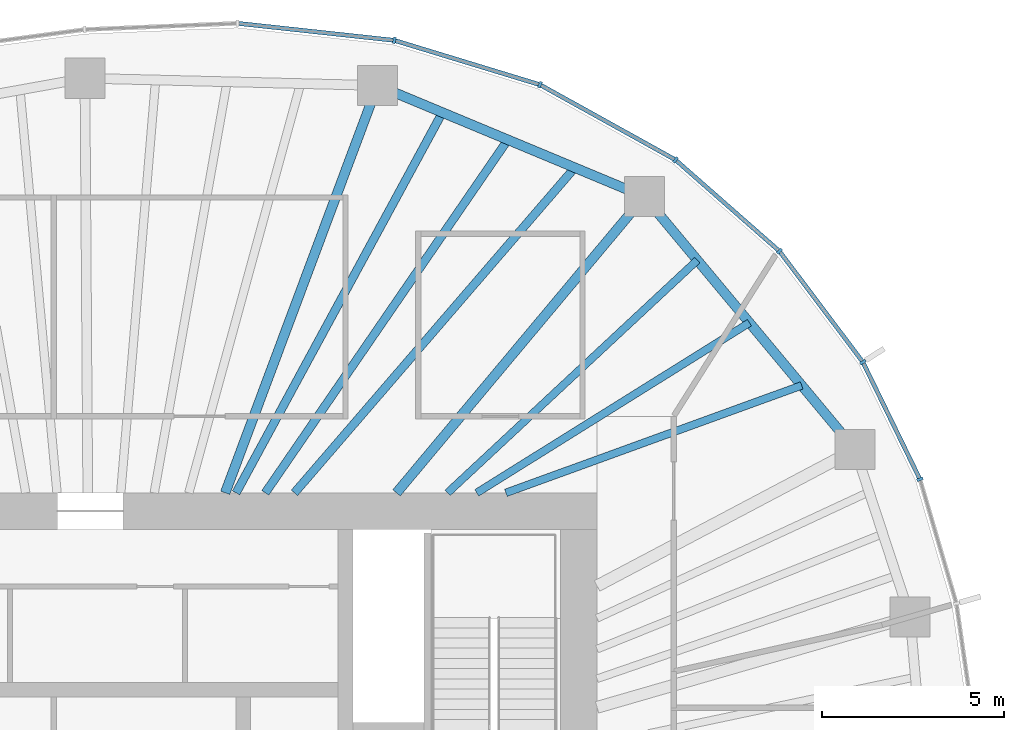
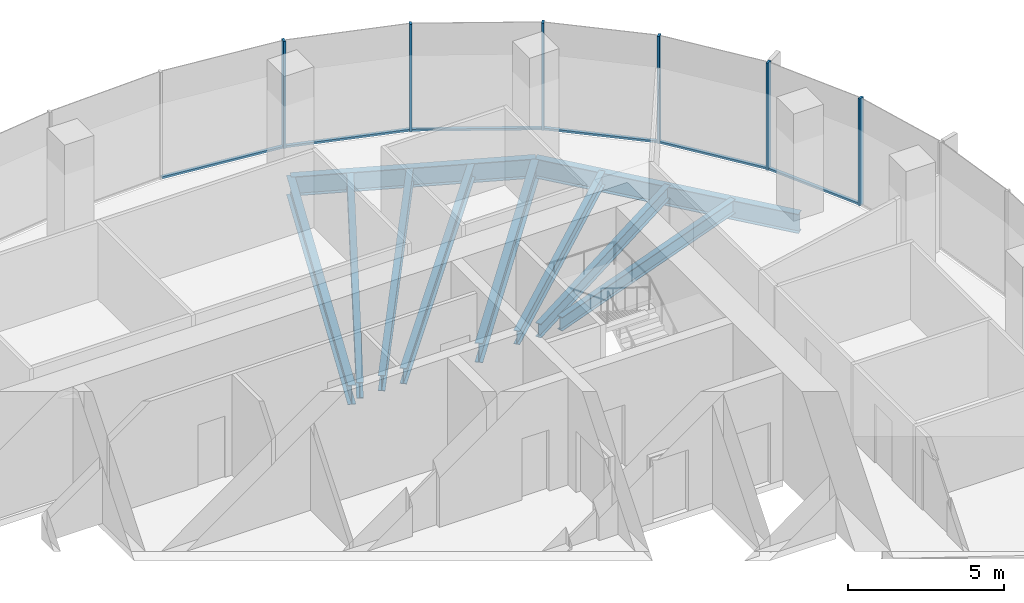
# One storey, part 6 of 11: 12 members, 10 beams, 4 elements without a shape of their own.
"""IFC4 building model written with IfcOpenShell, lengths in metres."""

import ifcopenshell
import ifcopenshell.guid

model = None  # the IFC model being written
_history = None  # IfcOwnerHistory: only IFC2X3 demands one
_inside = {}  # id of a spatial element -> (the spatial element, [elements in it])
_under = {}  # id of a project, library or spatial element -> (it, [spatial elements below it])
_declared = {}  # id of a project -> (the project, [libraries it declares])
_typed = {}  # id of a type object -> (the type object, [elements of that type])
_made_of = {}  # id of a material, layer set ... -> (it, [elements and type objects made of it])


def new_model(schema):
    """Start an empty IFC model of exactly this schema.

    Asked for "IFC4X3", IfcOpenShell would pick the latest addendum, in which some entities
    have other attributes; the version numbers below select the first issue.
    IFC2X3 requires an IfcOwnerHistory on every rooted entity: one is made here for all.
    """
    global model, _history
    if schema == "IFC4X3":
        model = ifcopenshell.file(schema_version=(4, 3, 0, 0))
    else:
        model = ifcopenshell.file(schema=schema)
    _inside.clear()
    _under.clear()
    _declared.clear()
    _typed.clear()
    _made_of.clear()
    _history = None
    if model.schema == "IFC2X3":
        org = make("IfcOrganization", Name="unknown")
        user = make(
            "IfcPersonAndOrganization",
            ThePerson=make("IfcPerson", FamilyName="unknown"),
            TheOrganization=org,
        )
        app = make(
            "IfcApplication",
            ApplicationDeveloper=org,
            Version="unknown",
            ApplicationFullName="unknown",
            ApplicationIdentifier="unknown",
        )
        _history = make(
            "IfcOwnerHistory",
            OwningUser=user,
            OwningApplication=app,
            ChangeAction="ADDED",
            CreationDate=0,
        )
    return model


def make(cls, **values):
    """One entity of the class cls with the attributes given. An attribute that is None is left unset."""
    return model.create_entity(
        cls, **{name: value for name, value in values.items() if value is not None}
    )


def rooted(cls, **values):
    """An entity with a GlobalId (a new one), such as an element, a storey or a relation."""
    return make(cls, GlobalId=ifcopenshell.guid.new(), OwnerHistory=_history, **values)


def si_unit(unit_type, name, prefix=None):
    """IfcSIUnit, for example si_unit("LENGTHUNIT", "METRE", prefix="MILLI")."""
    return make("IfcSIUnit", UnitType=unit_type, Prefix=prefix, Name=name)


def assignment(units):
    """IfcUnitAssignment: the units of a project."""
    return None if units is None else make("IfcUnitAssignment", Units=units)


def point(xyz):
    """IfcCartesianPoint."""
    return None if xyz is None else make("IfcCartesianPoint", Coordinates=xyz)


def direction(xyz):
    """IfcDirection."""
    return None if xyz is None else make("IfcDirection", DirectionRatios=xyz)


def frame(location, z_axis=None, x_axis=None):
    """IfcAxis2Placement3D, a coordinate frame: its origin and axes. An axis left out is left unset."""
    return make(
        "IfcAxis2Placement3D",
        Location=point(location),
        Axis=direction(z_axis),
        RefDirection=direction(x_axis),
    )


def frame_2d(location, x_axis=None):
    """IfcAxis2Placement2D, a coordinate frame in the plane: its origin and x axis."""
    return make(
        "IfcAxis2Placement2D", Location=point(location), RefDirection=direction(x_axis)
    )


def origin():
    """The frame at (0, 0, 0) with its axes left unset."""
    return frame((0.0, 0.0, 0.0))


def origin_2d():
    """The frame at (0, 0) in the plane with its x axis left unset."""
    return frame_2d((0.0, 0.0))


def place(relative_to, where):
    """IfcLocalPlacement: puts the frame where relative to a parent placement (None: the world)."""
    return make(
        "IfcLocalPlacement", PlacementRelTo=relative_to, RelativePlacement=where
    )


def context(
    kind, dimensions, precision=None, world=None, true_north=None, identifier=None
):
    """IfcGeometricRepresentationContext, for example the 3D "Model" context."""
    return make(
        "IfcGeometricRepresentationContext",
        ContextIdentifier=identifier,
        ContextType=kind,
        CoordinateSpaceDimension=dimensions,
        Precision=precision,
        WorldCoordinateSystem=world,
        TrueNorth=true_north,
    )


def subcontext(parent, identifier, kind, view, scale=None):
    """IfcGeometricRepresentationSubContext, for example "Body" below "Model"."""
    return make(
        "IfcGeometricRepresentationSubContext",
        ContextIdentifier=identifier,
        ContextType=kind,
        ParentContext=parent,
        TargetScale=scale,
        TargetView=view,
    )


def project(units=None, contexts=None):
    """IfcProject with its units and contexts."""
    return rooted(
        "IfcProject",
        Name="project",
        RepresentationContexts=contexts,
        UnitsInContext=assignment(units),
    )


def spatial(cls, under=None, at=None, **own):
    """A site, building, storey or space (cls), placed at a placement, below another one or the project."""
    s = rooted(cls, ObjectPlacement=at, **own)
    if under is not None:
        _under.setdefault(under.id(), (under, []))[1].append(s)
    return s


def profile(cls, at=None, kind="AREA", **sizes):
    """A parametric profile (cls). Its sizes go by their IFC names, for example OverallWidth=200.0."""
    return make(cls, ProfileType=kind, Position=at, **sizes)


def rectangle(**sizes):
    """IfcRectangleProfileDef."""
    return profile("IfcRectangleProfileDef", **sizes)


def i_section(**sizes):
    """IfcIShapeProfileDef."""
    return profile("IfcIShapeProfileDef", **sizes)


def extrude(swept, where, along, depth):
    """IfcExtrudedAreaSolid: the profile swept, set in the frame where, extruded along a direction by depth."""
    return make(
        "IfcExtrudedAreaSolid",
        SweptArea=swept,
        Position=where,
        ExtrudedDirection=direction(along),
        Depth=depth,
    )


def shape(context_of_items, identifier, shape_type, items):
    """IfcShapeRepresentation: the items that make up one representation, for example the "Body"."""
    return make(
        "IfcShapeRepresentation",
        ContextOfItems=context_of_items,
        RepresentationIdentifier=identifier,
        RepresentationType=shape_type,
        Items=items,
    )


def material(Name=None, Category=None):
    """IfcMaterial."""
    return make("IfcMaterial", Name=Name, Category=Category)


def material_profile(
    of_material, cross_section, Name=None, Category=None, Priority=None
):
    """IfcMaterialProfile: a cross section and its material."""
    return make(
        "IfcMaterialProfile",
        Name=Name,
        Material=of_material,
        Profile=cross_section,
        Priority=Priority,
        Category=Category,
    )


def profile_set(profiles, Name=None, composite=None):
    """IfcMaterialProfileSet."""
    return make(
        "IfcMaterialProfileSet",
        Name=Name,
        MaterialProfiles=profiles,
        CompositeProfile=composite,
    )


def made_of(thing, what):
    """Note that an element or type object is made of a material, layer set ...; save() writes the relation."""
    if what is not None:
        _made_of.setdefault(what.id(), (what, []))[1].append(thing)
    return thing


def type_object(cls, material=None, **own):
    """A type object (cls), such as IfcWallType, which elements share."""
    return made_of(rooted(cls, **own), material)


def element(
    cls,
    number,
    at=None,
    inside=None,
    cuts=None,
    type_object=None,
    material=None,
    context=None,
    identifier="Body",
    shape_type=None,
    held_by="IfcProductDefinitionShape",
    body=None,
    shapes=None,
    **own,
):
    """One element of the class cls, such as IfcWall. Its Tag is "e" and its number.

    at: its placement. inside: the storey or other place that contains it. cuts: it is an
    opening in that element (IfcRelVoidsElement). A single representation is given by context,
    identifier, shape_type and body (its items); several are given by shapes. held_by: the class
    of the entity that holds the representations. save() writes the other relations.
    """
    e = rooted(cls, Tag="e%d" % number, ObjectPlacement=at, **own)
    if body is not None:
        shapes = [shape(context, identifier, shape_type, body)]
    if shapes is not None:
        e.Representation = make(held_by, Representations=shapes)
    if inside is not None:
        _inside.setdefault(inside.id(), (inside, []))[1].append(e)
    if cuts is not None:
        rooted(
            "IfcRelVoidsElement", RelatingBuildingElement=cuts, RelatedOpeningElement=e
        )
    if type_object is not None:
        _typed.setdefault(type_object.id(), (type_object, []))[1].append(e)
    return made_of(e, material)


def aggregate(whole, parts):
    """IfcRelAggregates: a whole, such as a stair, and the parts it consists of."""
    return rooted("IfcRelAggregates", RelatingObject=whole, RelatedObjects=parts)


def save(model, path):
    """Write the relations noted so far, then the file.

    IfcRelAggregates (storeys below a building ...), IfcRelContainedInSpatialStructure (elements
    in a storey), IfcRelDefinesByType, IfcRelAssociatesMaterial and IfcRelDeclares: one each for
    every whole, place, type object, material and project.
    """
    for whole, parts in _under.values():
        aggregate(whole, parts)
    for where, things in _inside.values():
        rooted(
            "IfcRelContainedInSpatialStructure",
            RelatedElements=things,
            RelatingStructure=where,
        )
    for kind, things in _typed.values():
        rooted("IfcRelDefinesByType", RelatedObjects=things, RelatingType=kind)
    for what, things in _made_of.values():
        rooted("IfcRelAssociatesMaterial", RelatedObjects=things, RelatingMaterial=what)
    for by, libraries in _declared.values():
        rooted("IfcRelDeclares", RelatingContext=by, RelatedDefinitions=libraries)
    model.write(path)


model = new_model("IFC4")

# Units and contexts
model_context = context("Model", 3, precision=1e-05, world=origin(), true_north=direction((0.0, 1.0)))
body_context = subcontext(model_context, "Body", "Model", "MODEL_VIEW")
ifc_project = project(units=[si_unit("LENGTHUNIT", "METRE"), si_unit("AREAUNIT", "SQUARE_METRE"), si_unit("VOLUMEUNIT", "CUBIC_METRE"), si_unit("PLANEANGLEUNIT", "RADIAN"), si_unit("MASSUNIT", "GRAM", prefix="KILO")], contexts=[model_context])

# Site, building, storey
site_placement = place(None, origin())
site = spatial("IfcSite", under=ifc_project, at=site_placement, CompositionType="ELEMENT")
building_placement = place(site_placement, origin())
building = spatial("IfcBuilding", under=site, at=building_placement, Name="Ghaith Harvest Tower", CompositionType="ELEMENT")
storey_placement = place(building_placement, frame((0.0, 0.0, 292.199951171875)))
storey = spatial("IfcBuildingStorey", under=building, at=storey_placement, Name="L65", CompositionType="ELEMENT", Elevation=292.199951171875)

# Curtain wall, member
ifc_material_1 = material(Name="Black anodised aluminium and fritted glass", Category="aluminium")
curtain_wall_type = type_object("IfcCurtainWallType", Name="CW-T CURTAIN WALL", PredefinedType="NOTDEFINED", material=ifc_material_1)
curtain_wall_1_placement = place(storey_placement, origin())
curtain_wall_1 = element("IfcCurtainWall", 1, at=curtain_wall_1_placement, inside=storey, type_object=curtain_wall_type, Name="Curtain wall CW-T bay 02 L65", PredefinedType="NOTDEFINED")
ifc_material_2 = material(Name="Aluminium, black anodised", Category="aluminium")
ifc_material_profile_1 = material_profile(ifc_material_2, rectangle(XDim=0.080078125, YDim=0.179931640625, at=origin_2d()), Name="CW-T MULLION 80x180")
ifc_profile_set_1 = profile_set([ifc_material_profile_1], Name="Aluminium, black anodised")
member_type_1 = type_object("IfcMemberType", Name="CW-T MULLION 80x180", PredefinedType="MULLION", material=ifc_profile_set_1)
member_1_placement = place(storey_placement, frame((22.754150390625, 10.272216796875, 0.0), z_axis=(0.0, 0.0, 1.0), x_axis=(-0.361184273709, 0.932494461338, 0.0)))
member_1 = element("IfcMember", 2, at=member_1_placement, type_object=member_type_1, Name="CW-T mullion 2 bay 02 L65", PredefinedType="MULLION", context=body_context, shape_type="SweptSolid", body=[
    extrude(rectangle(XDim=0.080078125, YDim=0.179931640625, at=origin_2d()), origin(), (0.0, 0.0, 1.0), 4.199951171875),
])

# Curtain wall, members
curtain_wall_2_placement = place(storey_placement, origin())
curtain_wall_2 = element("IfcCurtainWall", 3, at=curtain_wall_2_placement, inside=storey, type_object=curtain_wall_type, Name="Curtain wall CW-T bay 03 L65", PredefinedType="NOTDEFINED")
member_2_placement = place(storey_placement, frame((21.18896484375, 13.48486328125, 0.0), z_axis=(0.0, 0.0, 1.0), x_axis=(-0.524482238522, 0.851421388899, 0.0)))
member_2 = element("IfcMember", 4, at=member_2_placement, type_object=member_type_1, Name="CW-T mullion 1 bay 03 L65", PredefinedType="MULLION", context=body_context, shape_type="SweptSolid", body=[
    extrude(rectangle(XDim=0.080078125, YDim=0.179931640625, at=origin_2d()), origin(), (0.0, 0.0, 1.0), 4.199951171875),
])
member_3_placement = place(storey_placement, frame((18.901123046875, 16.527099609375, 0.0), z_axis=(0.0, 0.0, 1.0), x_axis=(-0.679660897075, 0.733526458274, 0.0)))
member_3 = element("IfcMember", 5, at=member_3_placement, type_object=member_type_1, Name="CW-T mullion 2 bay 03 L65", PredefinedType="MULLION", context=body_context, shape_type="SweptSolid", body=[
    extrude(rectangle(XDim=0.080078125, YDim=0.179931640625, at=origin_2d()), origin(), (0.0, 0.0, 1.0), 4.199951171875),
])

curtain_wall_3_placement = place(storey_placement, origin())
curtain_wall_3 = element("IfcCurtainWall", 6, at=curtain_wall_3_placement, inside=storey, type_object=curtain_wall_type, Name="Curtain wall CW-T bay 04 L65", PredefinedType="NOTDEFINED")
member_4_placement = place(storey_placement, frame((16.04931640625, 19.031982421875, 0.0), z_axis=(0.0, 0.0, 1.0), x_axis=(-0.821112053873, 0.570767023385, 0.0)))
member_4 = element("IfcMember", 7, at=member_4_placement, type_object=member_type_1, Name="CW-T mullion 1 bay 04 L65", PredefinedType="MULLION", context=body_context, shape_type="SweptSolid", body=[
    extrude(rectangle(XDim=0.080078125, YDim=0.179931640625, at=origin_2d()), origin(), (0.0, 0.0, 1.0), 4.199951171875),
])
member_5_placement = place(storey_placement, frame((12.334228515625, 21.091796875, 0.0), z_axis=(0.0, 0.0, 1.0), x_axis=(-0.920319269246, 0.391168049123, 0.0)))
member_5 = element("IfcMember", 8, at=member_5_placement, type_object=member_type_1, Name="CW-T mullion 2 bay 04 L65", PredefinedType="MULLION", context=body_context, shape_type="SweptSolid", body=[
    extrude(rectangle(XDim=0.080078125, YDim=0.179931640625, at=origin_2d()), origin(), (0.0, 0.0, 1.0), 4.199951171875),
])

# Curtain wall, member
curtain_wall_4_placement = place(storey_placement, origin())
curtain_wall_4 = element("IfcCurtainWall", 9, at=curtain_wall_4_placement, inside=storey, type_object=curtain_wall_type, Name="Curtain wall CW-T bay 05 L65", PredefinedType="NOTDEFINED")
member_6_placement = place(storey_placement, frame((8.33984375, 22.308837890625, 0.0), z_axis=(0.0, 0.0, 1.0), x_axis=(-0.980000193436, 0.198996534809, 0.0)))
member_6 = element("IfcMember", 10, at=member_6_placement, type_object=member_type_1, Name="CW-T mullion 1 bay 05 L65", PredefinedType="MULLION", context=body_context, shape_type="SweptSolid", body=[
    extrude(rectangle(XDim=0.080078125, YDim=0.179931640625, at=origin_2d()), origin(), (0.0, 0.0, 1.0), 4.199951171875),
])

# Member
ifc_material_3 = material(Name="Aluminium, black anodised", Category="aluminium")
ifc_material_profile_2 = material_profile(ifc_material_3, rectangle(XDim=0.1201171875, YDim=0.080078125, at=origin_2d()), Name="CW-T TRANSOM 120x80")
ifc_profile_set_2 = profile_set([ifc_material_profile_2], Name="Aluminium, black anodised")
member_type_2 = type_object("IfcMemberType", Name="CW-T TRANSOM 120x80", PredefinedType="USERDEFINED", material=ifc_profile_set_2)
member_7_placement = place(storey_placement, frame((22.736572265625, 10.308349609375, 0.0400390625), z_axis=(-0.437965078712, 0.898991985408, 0.0), x_axis=(-0.898991985408, -0.437965078712, 0.0)))
member_7 = element("IfcMember", 11, at=member_7_placement, type_object=member_type_2, Name="CW-T transom 2 bay 02 L65", ObjectType="TRANSOM", PredefinedType="USERDEFINED", context=body_context, shape_type="SweptSolid", body=[
    extrude(rectangle(XDim=0.1201171875, YDim=0.080078125, at=origin_2d()), origin(), (0.0, 0.0, 1.0), 3.493408203125),
])

aggregate(curtain_wall_1, [member_1, member_7])

member_8_placement = place(storey_placement, frame((21.1650390625, 13.516845703125, 0.0400390625), z_axis=(-0.601079103045, 0.799189534392, 0.0), x_axis=(-0.799189534392, -0.601079103045, 0.0)))
member_8 = element("IfcMember", 12, at=member_8_placement, type_object=member_type_2, Name="CW-T transom 1 bay 03 L65", ObjectType="TRANSOM", PredefinedType="USERDEFINED", context=body_context, shape_type="SweptSolid", body=[
    extrude(rectangle(XDim=0.1201171875, YDim=0.080078125, at=origin_2d()), origin(), (0.0, 0.0, 1.0), 3.7265625),
])

member_9_placement = place(storey_placement, frame((18.87109375, 16.553466796875, 0.0400390625), z_axis=(-0.751325799984, 0.659931467865, 0.0), x_axis=(-0.659931467865, -0.751325799984, 0.0)))
member_9 = element("IfcMember", 13, at=member_9_placement, type_object=member_type_2, Name="CW-T transom 2 bay 03 L65", ObjectType="TRANSOM", PredefinedType="USERDEFINED", context=body_context, shape_type="SweptSolid", body=[
    extrude(rectangle(XDim=0.1201171875, YDim=0.080078125, at=origin_2d()), origin(), (0.0, 0.0, 1.0), 3.7158203125),
])

aggregate(curtain_wall_2, [member_2, member_8, member_3, member_9])

member_10_placement = place(storey_placement, frame((16.01416015625, 19.051513671875, 0.0400390625), z_axis=(-0.874552130553, 0.484931511603, 0.0), x_axis=(-0.484931511603, -0.874552130553, 0.0)))
member_10 = element("IfcMember", 14, at=member_10_placement, type_object=member_type_2, Name="CW-T transom 1 bay 04 L65", ObjectType="TRANSOM", PredefinedType="USERDEFINED", context=body_context, shape_type="SweptSolid", body=[
    extrude(rectangle(XDim=0.1201171875, YDim=0.080078125, at=origin_2d()), origin(), (0.0, 0.0, 1.0), 4.16748046875),
])

member_11_placement = place(storey_placement, frame((12.296142578125, 21.103515625, 0.0400390625), z_axis=(-0.956593713342, 0.291424891858, 0.0), x_axis=(-0.291424891858, -0.956593713342, 0.0)))
member_11 = element("IfcMember", 15, at=member_11_placement, type_object=member_type_2, Name="CW-T transom 2 bay 04 L65", ObjectType="TRANSOM", PredefinedType="USERDEFINED", context=body_context, shape_type="SweptSolid", body=[
    extrude(rectangle(XDim=0.1201171875, YDim=0.080078125, at=origin_2d()), origin(), (0.0, 0.0, 1.0), 4.095703125),
])

aggregate(curtain_wall_3, [member_4, member_10, member_5, member_11])

member_12_placement = place(storey_placement, frame((8.300048828125, 22.313232421875, 0.0400390625), z_axis=(-0.994144463069, 0.108059180768, 0.0), x_axis=(-0.108059180768, -0.994144463069, 0.0)))
member_12 = element("IfcMember", 16, at=member_12_placement, type_object=member_type_2, Name="CW-T transom 1 bay 05 L65", ObjectType="TRANSOM", PredefinedType="USERDEFINED", context=body_context, shape_type="SweptSolid", body=[
    extrude(rectangle(XDim=0.1201171875, YDim=0.080078125, at=origin_2d()), origin(), (0.0, 0.0, 1.0), 4.24755859375),
])

aggregate(curtain_wall_4, [member_6, member_12])

# Beams
ifc_material_4 = material(Name="Steel ASTM A992 Grade 50", Category="steel")
ifc_material_profile_3 = material_profile(ifc_material_4, i_section(OverallWidth=0.26611328125, OverallDepth=0.758056640625, WebThickness=0.013916015625, FlangeThickness=0.019287109375, at=origin_2d()), Name="W760X161")
ifc_profile_set_3 = profile_set([ifc_material_profile_3], Name="Steel ASTM A992 Grade 50")
beam_type_1 = type_object("IfcBeamType", Name="E760-161 W760X161", PredefinedType="SPANDREL", material=ifc_profile_set_3)
beam_1_placement = place(storey_placement, frame((20.97705078125, 11.087890625, -0.549072265625), z_axis=(-0.640173759088, 0.76823014662, 0.0), x_axis=(-0.76823014662, -0.640173759088, 0.0)))
element("IfcBeam", 17, at=beam_1_placement, inside=storey, type_object=beam_type_1, Name="Edge beam E03 L65", PredefinedType="SPANDREL", context=body_context, shape_type="SweptSolid", body=[
    extrude(i_section(OverallWidth=0.26611328125, OverallDepth=0.758056640625, WebThickness=0.013916015625, FlangeThickness=0.019287109375, at=origin_2d()), origin(), (0.0, 0.0, 1.0), 9.02734375),
])
beam_2_placement = place(storey_placement, frame((15.197998046875, 18.02294921875, -0.549072265625), z_axis=(-0.923119729219, 0.384512633766, 0.0), x_axis=(-0.384512633766, -0.923119729219, 0.0)))
element("IfcBeam", 18, at=beam_2_placement, inside=storey, type_object=beam_type_1, Name="Edge beam E04 L65", PredefinedType="SPANDREL", context=body_context, shape_type="SweptSolid", body=[
    extrude(i_section(OverallWidth=0.26611328125, OverallDepth=0.758056640625, WebThickness=0.013916015625, FlangeThickness=0.019287109375, at=origin_2d()), origin(), (0.0, 0.0, 1.0), 7.9296875),
])
ifc_material_5 = material(Name="Steel ASTM A992 Grade 50", Category="steel")
ifc_material_profile_4 = material_profile(ifc_material_5, i_section(OverallWidth=0.26611328125, OverallDepth=0.758056640625, WebThickness=0.013916015625, FlangeThickness=0.019287109375, at=origin_2d()), Name="W760X161")
ifc_profile_set_4 = profile_set([ifc_material_profile_4], Name="Steel ASTM A992 Grade 50")
beam_type_2 = type_object("IfcBeamType", Name="G760-161 W760X161", PredefinedType="BEAM", material=ifc_profile_set_4)
beam_3_placement = place(storey_placement, frame((8.39990234375, 9.89990234375, -0.549072265625), z_axis=(0.641792628883, 0.766878231215, 0.0), x_axis=(-0.766878231215, 0.641792628883, 0.0)))
element("IfcBeam", 19, at=beam_3_placement, inside=storey, type_object=beam_type_2, Name="Radial girder G04 L65", PredefinedType="BEAM", context=body_context, shape_type="SweptSolid", body=[
    extrude(i_section(OverallWidth=0.26611328125, OverallDepth=0.758056640625, WebThickness=0.013916015625, FlangeThickness=0.019287109375, at=origin_2d()), origin(), (0.0, 0.0, 1.0), 10.59228515625),
])
beam_4_placement = place(storey_placement, frame((3.700927734375, 9.89990234375, -0.549072265625), z_axis=(0.350201332531, 0.936674450753, 0.0), x_axis=(-0.936674450753, 0.350201332531, 0.0)))
element("IfcBeam", 20, at=beam_4_placement, inside=storey, type_object=beam_type_2, Name="Radial girder G05 L65", PredefinedType="BEAM", context=body_context, shape_type="SweptSolid", body=[
    extrude(i_section(OverallWidth=0.26611328125, OverallDepth=0.758056640625, WebThickness=0.013916015625, FlangeThickness=0.019287109375, at=origin_2d()), origin(), (0.0, 0.0, 1.0), 11.927490234375),
])
ifc_material_6 = material(Name="Steel ASTM A992 Grade 50", Category="steel")
ifc_material_profile_5 = material_profile(ifc_material_6, i_section(OverallWidth=0.2109375, OverallDepth=0.5390625, WebThickness=0.01171875, FlangeThickness=0.018798828125, at=origin_2d()), Name="W530X109")
ifc_profile_set_5 = profile_set([ifc_material_profile_5], Name="Steel ASTM A992 Grade 50")
beam_type_3 = type_object("IfcBeamType", Name="J530-109 W530X109", PredefinedType="JOIST", material=ifc_profile_set_5)
beam_5_placement = place(storey_placement, frame((11.39990234375, 9.89990234375, -0.439453125), z_axis=(0.939925501564, 0.341379629605, 0.0), x_axis=(-0.341379629605, 0.939925501564, 0.0)))
element("IfcBeam", 21, at=beam_5_placement, inside=storey, type_object=beam_type_3, Name="Joist J03.1 L65", PredefinedType="JOIST", context=body_context, shape_type="SweptSolid", body=[
    extrude(i_section(OverallWidth=0.2109375, OverallDepth=0.5390625, WebThickness=0.01171875, FlangeThickness=0.018798828125, at=origin_2d()), origin(), (0.0, 0.0, 1.0), 8.630615234375),
])
beam_6_placement = place(storey_placement, frame((10.60009765625, 9.89990234375, -0.439453125), z_axis=(0.84837619421, 0.52939383553, 0.0), x_axis=(-0.52939383553, 0.84837619421, 0.0)))
element("IfcBeam", 22, at=beam_6_placement, inside=storey, type_object=beam_type_3, Name="Joist J03.2 L65", PredefinedType="JOIST", context=body_context, shape_type="SweptSolid", body=[
    extrude(i_section(OverallWidth=0.2109375, OverallDepth=0.5390625, WebThickness=0.01171875, FlangeThickness=0.018798828125, at=origin_2d()), origin(), (0.0, 0.0, 1.0), 8.814697265625),
])
beam_7_placement = place(storey_placement, frame((9.800048828125, 9.89990234375, -0.439453125), z_axis=(0.73164904944, 0.681681500742, 0.0), x_axis=(-0.681681500742, 0.73164904944, 0.0)))
element("IfcBeam", 23, at=beam_7_placement, inside=storey, type_object=beam_type_3, Name="Joist J03.3 L65", PredefinedType="JOIST", context=body_context, shape_type="SweptSolid", body=[
    extrude(i_section(OverallWidth=0.2109375, OverallDepth=0.5390625, WebThickness=0.01171875, FlangeThickness=0.018798828125, at=origin_2d()), origin(), (0.0, 0.0, 1.0), 9.361572265625),
])
ifc_material_7 = material(Name="Steel ASTM A992 Grade 50", Category="steel")
ifc_material_profile_6 = material_profile(ifc_material_7, i_section(OverallWidth=0.22998046875, OverallDepth=0.616943359375, WebThickness=0.01318359375, FlangeThickness=0.022216796875, at=origin_2d()), Name="W610X140")
ifc_profile_set_6 = profile_set([ifc_material_profile_6], Name="Steel ASTM A992 Grade 50")
beam_type_4 = type_object("IfcBeamType", Name="J610-140 W610X140", PredefinedType="JOIST", material=ifc_profile_set_6)
beam_8_placement = place(storey_placement, frame((5.60009765625, 9.89990234375, -0.478515625), z_axis=(0.652992938501, 0.757363995888, 0.0), x_axis=(-0.757363995888, 0.652992938501, 0.0)))
element("IfcBeam", 24, at=beam_8_placement, inside=storey, type_object=beam_type_4, Name="Joist J04.1 L65", PredefinedType="JOIST", context=body_context, shape_type="SweptSolid", body=[
    extrude(i_section(OverallWidth=0.22998046875, OverallDepth=0.616943359375, WebThickness=0.01318359375, FlangeThickness=0.022216796875, at=origin_2d()), origin(), (0.0, 0.0, 1.0), 11.775390625),
])
beam_9_placement = place(storey_placement, frame((4.800048828125, 9.89990234375, -0.478515625), z_axis=(0.566228035119, 0.824248634967, 0.0), x_axis=(-0.824248634967, 0.566228035119, 0.0)))
element("IfcBeam", 25, at=beam_9_placement, inside=storey, type_object=beam_type_4, Name="Joist J04.2 L65", PredefinedType="JOIST", context=body_context, shape_type="SweptSolid", body=[
    extrude(i_section(OverallWidth=0.22998046875, OverallDepth=0.616943359375, WebThickness=0.01318359375, FlangeThickness=0.022216796875, at=origin_2d()), origin(), (0.0, 0.0, 1.0), 11.748046875),
])
beam_10_placement = place(storey_placement, frame((4.0, 9.89990234375, -0.478515625), z_axis=(0.476764926531, 0.879030832696, 0.0), x_axis=(-0.879030832696, 0.476764926531, 0.0)))
element("IfcBeam", 26, at=beam_10_placement, inside=storey, type_object=beam_type_4, Name="Joist J04.3 L65", PredefinedType="JOIST", context=body_context, shape_type="SweptSolid", body=[
    extrude(i_section(OverallWidth=0.22998046875, OverallDepth=0.616943359375, WebThickness=0.01318359375, FlangeThickness=0.022216796875, at=origin_2d()), origin(), (0.0, 0.0, 1.0), 11.866455078125),
])

save(model, "model.ifc")
